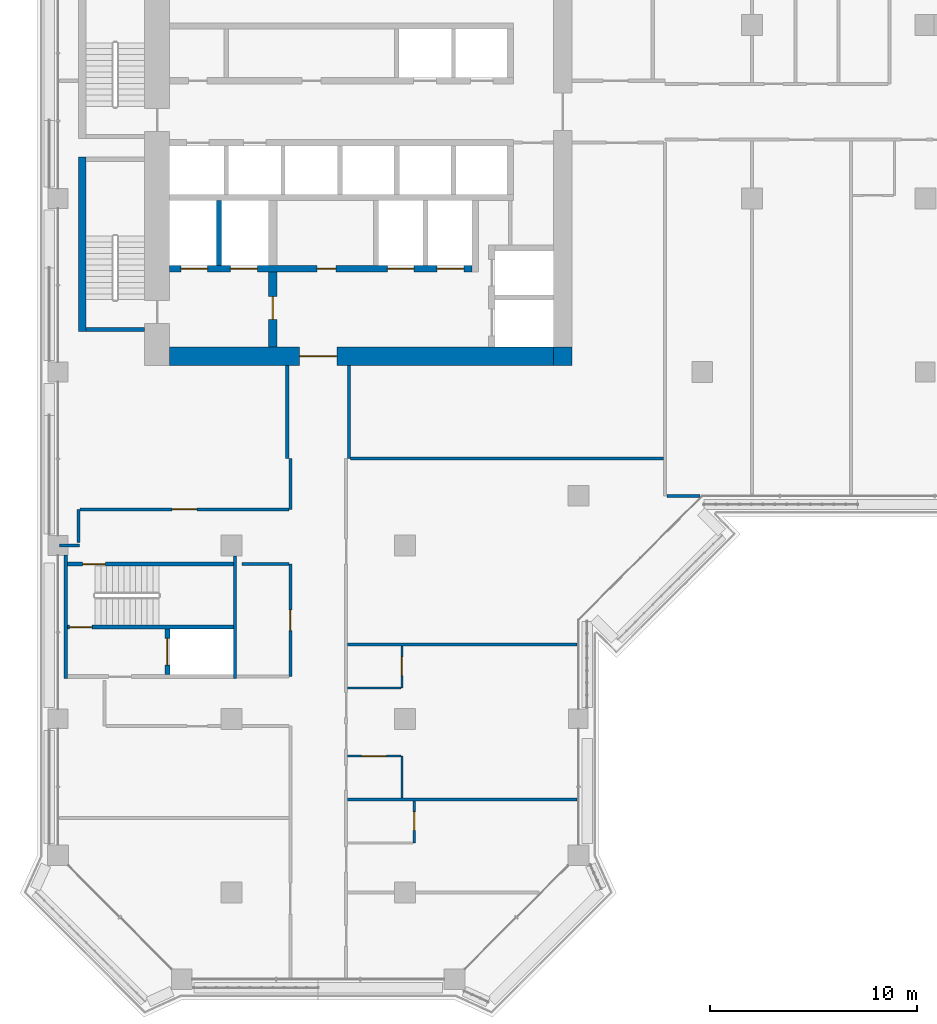
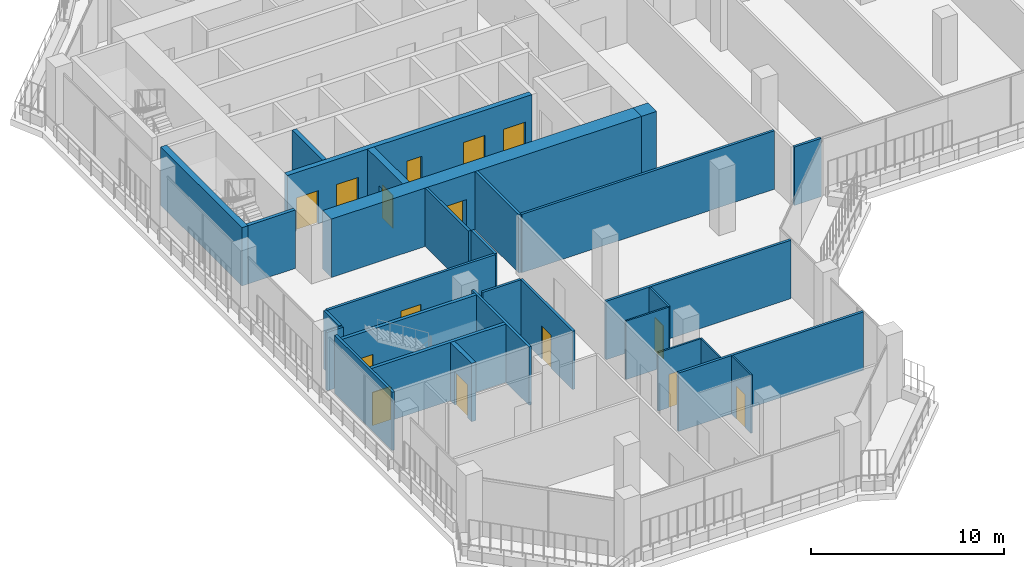
# One storey, part 10 of 22: 29 walls, 15 doors, 15 openings.
"""IFC4 building model written with IfcOpenShell, lengths in metres."""

from ifc_helpers import new_model, si_unit, direction, frame, frame_2d, origin, place, context, subcontext, project, spatial, rectangle, extrude, material, layer, layer_set, type_object, element, fill, save


model = new_model("IFC4")

# Units and contexts
model_context = context("Model", 3, precision=1e-05, world=origin(), true_north=direction((0.0, 1.0)))
body_context = subcontext(model_context, "Body", "Model", "MODEL_VIEW")
ifc_project = project(units=[si_unit("LENGTHUNIT", "METRE"), si_unit("AREAUNIT", "SQUARE_METRE"), si_unit("VOLUMEUNIT", "CUBIC_METRE"), si_unit("PLANEANGLEUNIT", "RADIAN"), si_unit("MASSUNIT", "GRAM", prefix="KILO")], contexts=[model_context])

# Site, building, storey
site_placement = place(None, origin())
site = spatial("IfcSite", under=ifc_project, at=site_placement, CompositionType="ELEMENT")
building_placement = place(site_placement, origin())
building = spatial("IfcBuilding", under=site, at=building_placement, Name="Kawkab Arch Medical Tower", CompositionType="ELEMENT")
storey_placement = place(building_placement, frame((0.0, 0.0, 208.800048828125)))
storey = spatial("IfcBuildingStorey", under=building, at=storey_placement, Name="L48", CompositionType="ELEMENT", Elevation=208.800048828125)

# Wall, opening, door
ifc_material_1 = material(Name="Concrete C55/67", Category="concrete")
ifc_layer_1 = layer(ifc_material_1, 0.89990234375)
ifc_layer_set_1 = layer_set([ifc_layer_1], Name="Concrete C55/67")
wall_type_1 = type_object("IfcWallType", Name="Core ring wall 900 C55/67", PredefinedType="SHEAR", material=ifc_layer_set_1)
wall_1_placement = place(storey_placement, frame((5.39990234375, -24.449951171875, 0.0), z_axis=(0.0, 0.0, 1.0), x_axis=(1.0, 0.0, 0.0)))
wall_1 = element("IfcWall", 1, at=wall_1_placement, inside=storey, type_object=wall_type_1, Name="L48 core wall", PredefinedType="SHEAR", context=body_context, shape_type="SweptSolid", body=[
    extrude(rectangle(XDim=18.60009765625, YDim=0.89990234375, at=frame_2d((9.300048828125, 0.0))), origin(), (0.0, 0.0, 1.0), 3.699951171875),
])
opening_1_placement = place(wall_1_placement, frame((6.300048828125, 0.0, 0.0)))
opening_1 = element("IfcOpeningElement", 2, at=opening_1_placement, cuts=wall_1, Name="Opening PD", PredefinedType="OPENING", context=body_context, shape_type="SweptSolid", body=[
    extrude(rectangle(XDim=1.800048828125, YDim=2.10009765625, at=frame_2d((0.89990234375, 1.050048828125))), frame((0.0, 0.4599609375, 0.0), z_axis=(0.0, -1.0, 0.0), x_axis=(1.0, 0.0, 0.0)), (0.0, 0.0, 1.0), 0.919921875),
])
ifc_material_2 = material(Name="Hollow metal fire door leaf")
door_type_1 = type_object("IfcDoorType", Name="Core entrance doors 1800", OperationType="DOUBLE_DOOR_SINGLE_SWING", PredefinedType="DOOR", material=ifc_material_2)
door_1_placement = place(opening_1_placement, origin())
door_1 = element("IfcDoor", 3, at=door_1_placement, inside=storey, type_object=door_type_1, Name="L48 South entrance doors", OperationType="DOUBLE_DOOR_SINGLE_SWING", OverallHeight=2.10009765625, OverallWidth=1.800048828125, PredefinedType="DOOR", context=body_context, shape_type="SweptSolid", body=[
    extrude(rectangle(XDim=1.800048828125, YDim=2.10009765625, at=frame_2d((0.89990234375, 1.050048828125))), frame((0.0, 0.02490234375, 0.0), z_axis=(0.0, -1.0, 0.0), x_axis=(1.0, 0.0, 0.0)), (0.0, 0.0, 1.0), 0.050048828125),
])
fill(opening_1, door_1)

# Walls
wall_2_placement = place(storey_placement, frame((24.449951171875, -24.89990234375, 0.0), z_axis=(0.0, 0.0, 1.0), x_axis=(0.0, 1.0, 0.0)))
element("IfcWall", 4, at=wall_2_placement, inside=storey, type_object=wall_type_1, Name="L48 core wall", PredefinedType="SHEAR", context=body_context, shape_type="SweptSolid", body=[
    extrude(rectangle(XDim=0.89990234375, YDim=0.89990234375, at=frame_2d((0.449951171875, 0.0))), origin(), (0.0, 0.0, 1.0), 3.699951171875),
])
ifc_material_3 = material(Name="Concrete C60/75", Category="concrete")
ifc_layer_2 = layer(ifc_material_3, 0.25)
ifc_layer_set_2 = layer_set([ifc_layer_2], Name="Concrete C60/75")
wall_type_2 = type_object("IfcWallType", Name="Core shear wall 250 C60/75", PredefinedType="SHEAR", material=ifc_layer_set_2)
wall_3_placement = place(storey_placement, frame((7.800048828125, -20.050048828125, 0.0), z_axis=(0.0, 0.0, 1.0), x_axis=(0.0, 1.0, 0.0)))
element("IfcWall", 5, at=wall_3_placement, inside=storey, type_object=wall_type_2, Name="L48 core shear wall", PredefinedType="SHEAR", context=body_context, shape_type="SweptSolid", body=[
    extrude(rectangle(XDim=3.150146484375, YDim=0.25, at=frame_2d((1.5751953125, 0.0))), origin(), (0.0, 0.0, 1.0), 3.699951171875),
])

# Wall, opening, door
wall_4_placement = place(storey_placement, frame((5.300048828125, -39.85009765625, 0.0), z_axis=(0.0, 0.0, 1.0), x_axis=(0.0, 1.0, 0.0)))
wall_4 = element("IfcWall", 6, at=wall_4_placement, inside=storey, type_object=wall_type_2, Name="L48 core shear wall", PredefinedType="SHEAR", context=body_context, shape_type="SweptSolid", body=[
    extrude(rectangle(XDim=2.2001953125, YDim=0.25, at=frame_2d((1.10009765625, 0.0))), origin(), (0.0, 0.0, 1.0), 3.699951171875),
])
opening_2_placement = place(wall_4_placement, frame((0.449951171875, 0.0, 0.0)))
opening_2 = element("IfcOpeningElement", 7, at=opening_2_placement, cuts=wall_4, Name="Opening LD2", PredefinedType="OPENING", context=body_context, shape_type="SweptSolid", body=[
    extrude(rectangle(XDim=1.300048828125, YDim=2.10009765625, at=frame_2d((0.64990234375, 1.050048828125))), frame((0.0, 0.135009765625, 0.0), z_axis=(0.0, -1.0, 0.0), x_axis=(1.0, 0.0, 0.0)), (0.0, 0.0, 1.0), 0.27001953125),
])
ifc_material_4 = material(Name="Stainless steel lift door leaf", Category="steel")
door_type_2 = type_object("IfcDoorType", Name="Lift landing door 1300", OperationType="DOUBLE_DOOR_SLIDING", PredefinedType="DOOR", material=ifc_material_4)
door_2_placement = place(opening_2_placement, origin())
door_2 = element("IfcDoor", 8, at=door_2_placement, inside=storey, type_object=door_type_2, Name="L48 Lift landing door SV2", OperationType="DOUBLE_DOOR_SLIDING", OverallHeight=2.10009765625, OverallWidth=1.300048828125, PredefinedType="DOOR", context=body_context, shape_type="SweptSolid", body=[
    extrude(rectangle(XDim=1.300048828125, YDim=2.10009765625, at=frame_2d((0.64990234375, 1.050048828125))), frame((0.0, 0.02490234375, 0.0), z_axis=(0.0, -1.0, 0.0), x_axis=(1.0, 0.0, 0.0)), (0.0, 0.0, 1.0), 0.050048828125),
])
fill(opening_2, door_2)

# Wall, openings, doors
ifc_material_5 = material(Name="Concrete C60/75", Category="concrete")
ifc_layer_3 = layer(ifc_material_5, 0.300048828125)
ifc_layer_set_3 = layer_set([ifc_layer_3], Name="Concrete C60/75")
wall_type_3 = type_object("IfcWallType", Name="Core shear wall 300 C60/75", PredefinedType="SHEAR", material=ifc_layer_set_3)
wall_5_placement = place(storey_placement, frame((5.39990234375, -20.199951171875, 0.0), z_axis=(0.0, 0.0, 1.0), x_axis=(1.0, 0.0, 0.0)))
wall_5 = element("IfcWall", 9, at=wall_5_placement, inside=storey, type_object=wall_type_3, Name="L48 core shear wall", PredefinedType="SHEAR", context=body_context, shape_type="SweptSolid", body=[
    extrude(rectangle(XDim=14.650146484375, YDim=0.300048828125, at=frame_2d((7.3251953125, 0.0))), origin(), (0.0, 0.0, 1.0), 3.699951171875),
])
opening_3_placement = place(wall_5_placement, frame((10.550048828125, 0.0, 0.0)))
opening_3 = element("IfcOpeningElement", 10, at=opening_3_placement, cuts=wall_5, Name="Opening LD2", PredefinedType="OPENING", context=body_context, shape_type="SweptSolid", body=[
    extrude(rectangle(XDim=1.300048828125, YDim=2.10009765625, at=frame_2d((0.64990234375, 1.050048828125))), frame((0.0, 0.159912109375, 0.0), z_axis=(0.0, -1.0, 0.0), x_axis=(1.0, 0.0, 0.0)), (0.0, 0.0, 1.0), 0.320068359375),
])
opening_4_placement = place(wall_5_placement, frame((12.949951171875, 0.0, 0.0)))
opening_4 = element("IfcOpeningElement", 11, at=opening_4_placement, cuts=wall_5, Name="Opening LD2", PredefinedType="OPENING", context=body_context, shape_type="SweptSolid", body=[
    extrude(rectangle(XDim=1.300048828125, YDim=2.10009765625, at=frame_2d((0.64990234375, 1.050048828125))), frame((0.0, 0.159912109375, 0.0), z_axis=(0.0, -1.0, 0.0), x_axis=(1.0, 0.0, 0.0)), (0.0, 0.0, 1.0), 0.320068359375),
])
opening_5_placement = place(wall_5_placement, frame((0.550048828125, 0.0, 0.0)))
opening_5 = element("IfcOpeningElement", 12, at=opening_5_placement, cuts=wall_5, Name="Opening LD2", PredefinedType="OPENING", context=body_context, shape_type="SweptSolid", body=[
    extrude(rectangle(XDim=1.300048828125, YDim=2.10009765625, at=frame_2d((0.64990234375, 1.050048828125))), frame((0.0, 0.159912109375, 0.0), z_axis=(0.0, -1.0, 0.0), x_axis=(1.0, 0.0, 0.0)), (0.0, 0.0, 1.0), 0.320068359375),
])
opening_6_placement = place(wall_5_placement, frame((2.949951171875, 0.0, 0.0)))
opening_6 = element("IfcOpeningElement", 13, at=opening_6_placement, cuts=wall_5, Name="Opening LD2", PredefinedType="OPENING", context=body_context, shape_type="SweptSolid", body=[
    extrude(rectangle(XDim=1.300048828125, YDim=2.10009765625, at=frame_2d((0.64990234375, 1.050048828125))), frame((0.0, 0.159912109375, 0.0), z_axis=(0.0, -1.0, 0.0), x_axis=(1.0, 0.0, 0.0)), (0.0, 0.0, 1.0), 0.320068359375),
])
opening_7_placement = place(wall_5_placement, frame((7.14990234375, 0.0, 0.0)))
opening_7 = element("IfcOpeningElement", 14, at=opening_7_placement, cuts=wall_5, Name="Opening RD", PredefinedType="OPENING", context=body_context, shape_type="SweptSolid", body=[
    extrude(rectangle(XDim=0.89990234375, YDim=2.10009765625, at=frame_2d((0.449951171875, 1.050048828125))), frame((0.0, 0.159912109375, 0.0), z_axis=(0.0, -1.0, 0.0), x_axis=(1.0, 0.0, 0.0)), (0.0, 0.0, 1.0), 0.320068359375),
])
ifc_material_6 = material(Name="Hollow metal fire door leaf")
door_type_3 = type_object("IfcDoorType", Name="Core room door 900", OperationType="SINGLE_SWING_LEFT", PredefinedType="DOOR", material=ifc_material_6)
door_3_placement = place(opening_7_placement, origin())
door_3 = element("IfcDoor", 15, at=door_3_placement, inside=storey, type_object=door_type_3, Name="L48 General store door", OperationType="SINGLE_SWING_LEFT", OverallHeight=2.10009765625, OverallWidth=0.89990234375, PredefinedType="DOOR", context=body_context, shape_type="SweptSolid", body=[
    extrude(rectangle(XDim=0.89990234375, YDim=2.10009765625, at=frame_2d((0.449951171875, 1.050048828125))), frame((0.0, 0.02490234375, 0.0), z_axis=(0.0, -1.0, 0.0), x_axis=(1.0, 0.0, 0.0)), (0.0, 0.0, 1.0), 0.050048828125),
])
fill(opening_7, door_3)
door_4_placement = place(opening_3_placement, origin())
door_4 = element("IfcDoor", 16, at=door_4_placement, inside=storey, type_object=door_type_2, Name="L48 Lift landing door BD3", OperationType="DOUBLE_DOOR_SLIDING", OverallHeight=2.10009765625, OverallWidth=1.300048828125, PredefinedType="DOOR", context=body_context, shape_type="SweptSolid", body=[
    extrude(rectangle(XDim=1.300048828125, YDim=2.10009765625, at=frame_2d((0.64990234375, 1.050048828125))), frame((0.0, 0.02490234375, 0.0), z_axis=(0.0, -1.0, 0.0), x_axis=(1.0, 0.0, 0.0)), (0.0, 0.0, 1.0), 0.050048828125),
])
fill(opening_3, door_4)
door_5_placement = place(opening_4_placement, origin())
door_5 = element("IfcDoor", 17, at=door_5_placement, inside=storey, type_object=door_type_2, Name="L48 Lift landing door BD4", OperationType="DOUBLE_DOOR_SLIDING", OverallHeight=2.10009765625, OverallWidth=1.300048828125, PredefinedType="DOOR", context=body_context, shape_type="SweptSolid", body=[
    extrude(rectangle(XDim=1.300048828125, YDim=2.10009765625, at=frame_2d((0.64990234375, 1.050048828125))), frame((0.0, 0.02490234375, 0.0), z_axis=(0.0, -1.0, 0.0), x_axis=(1.0, 0.0, 0.0)), (0.0, 0.0, 1.0), 0.050048828125),
])
fill(opening_4, door_5)
door_6_placement = place(opening_5_placement, origin())
door_6 = element("IfcDoor", 18, at=door_6_placement, inside=storey, type_object=door_type_2, Name="L48 Lift landing door FL1", OperationType="DOUBLE_DOOR_SLIDING", OverallHeight=2.10009765625, OverallWidth=1.300048828125, PredefinedType="DOOR", context=body_context, shape_type="SweptSolid", body=[
    extrude(rectangle(XDim=1.300048828125, YDim=2.10009765625, at=frame_2d((0.64990234375, 1.050048828125))), frame((0.0, 0.02490234375, 0.0), z_axis=(0.0, -1.0, 0.0), x_axis=(1.0, 0.0, 0.0)), (0.0, 0.0, 1.0), 0.050048828125),
])
fill(opening_5, door_6)
door_7_placement = place(opening_6_placement, origin())
door_7 = element("IfcDoor", 19, at=door_7_placement, inside=storey, type_object=door_type_2, Name="L48 Lift landing door FL2", OperationType="DOUBLE_DOOR_SLIDING", OverallHeight=2.10009765625, OverallWidth=1.300048828125, PredefinedType="DOOR", context=body_context, shape_type="SweptSolid", body=[
    extrude(rectangle(XDim=1.300048828125, YDim=2.10009765625, at=frame_2d((0.64990234375, 1.050048828125))), frame((0.0, 0.02490234375, 0.0), z_axis=(0.0, -1.0, 0.0), x_axis=(1.0, 0.0, 0.0)), (0.0, 0.0, 1.0), 0.050048828125),
])
fill(opening_6, door_7)

# Wall, opening, door
ifc_material_7 = material(Name="Concrete C60/75", Category="concrete")
ifc_layer_4 = layer(ifc_material_7, 0.39990234375)
ifc_layer_set_4 = layer_set([ifc_layer_4], Name="Concrete C60/75")
wall_type_4 = type_object("IfcWallType", Name="Core shear wall 400 C60/75", PredefinedType="SHEAR", material=ifc_layer_set_4)
wall_6_placement = place(storey_placement, frame((10.39990234375, -24.0, 0.0), z_axis=(0.0, 0.0, 1.0), x_axis=(0.0, 1.0, 0.0)))
wall_6 = element("IfcWall", 20, at=wall_6_placement, inside=storey, type_object=wall_type_4, Name="L48 core shear wall", PredefinedType="SHEAR", context=body_context, shape_type="SweptSolid", body=[
    extrude(rectangle(XDim=3.64990234375, YDim=0.39990234375, at=frame_2d((1.824951171875, 0.0))), origin(), (0.0, 0.0, 1.0), 3.699951171875),
])
opening_8_placement = place(wall_6_placement, frame((1.35009765625, 0.0, 0.0)))
opening_8 = element("IfcOpeningElement", 21, at=opening_8_placement, cuts=wall_6, Name="Opening FD", PredefinedType="OPENING", context=body_context, shape_type="SweptSolid", body=[
    extrude(rectangle(XDim=1.10009765625, YDim=2.10009765625, at=frame_2d((0.550048828125, 1.050048828125))), frame((0.0, 0.2099609375, 0.0), z_axis=(0.0, -1.0, 0.0), x_axis=(1.0, 0.0, 0.0)), (0.0, 0.0, 1.0), 0.419921875),
])
ifc_material_8 = material(Name="Hollow metal fire door leaf")
door_type_4 = type_object("IfcDoorType", Name="Firefighting lobby door 1100", OperationType="SINGLE_SWING_LEFT", PredefinedType="DOOR", material=ifc_material_8)
door_8_placement = place(opening_8_placement, origin())
door_8 = element("IfcDoor", 22, at=door_8_placement, inside=storey, type_object=door_type_4, Name="L48 Firefighting lobby door", OperationType="SINGLE_SWING_LEFT", OverallHeight=2.10009765625, OverallWidth=1.10009765625, PredefinedType="DOOR", context=body_context, shape_type="SweptSolid", body=[
    extrude(rectangle(XDim=1.10009765625, YDim=2.10009765625, at=frame_2d((0.550048828125, 1.050048828125))), frame((0.0, 0.02490234375, 0.0), z_axis=(0.0, -1.0, 0.0), x_axis=(1.0, 0.0, 0.0)), (0.0, 0.0, 1.0), 0.050048828125),
])
fill(opening_8, door_8)

ifc_material_9 = material(Name="Gypsum board partition on steel studs", Category="steel")
ifc_layer_5 = layer(ifc_material_9, 0.10009765625)
ifc_layer_set_5 = layer_set([ifc_layer_5], Name="Gypsum board partition on steel studs")
wall_type_5 = type_object("IfcWallType", Name="Partition 100", PredefinedType="PARTITIONING", material=ifc_layer_set_5)
wall_7_placement = place(storey_placement, frame((14.02490234375, -43.800048828125, 0.0), z_axis=(0.0, 0.0, 1.0), x_axis=(1.0, 0.0, 0.0)))
wall_7 = element("IfcWall", 23, at=wall_7_placement, inside=storey, type_object=wall_type_5, Name="Partition 100 w002", PredefinedType="PARTITIONING", context=body_context, shape_type="SweptSolid", body=[
    extrude(rectangle(XDim=2.5751953125, YDim=0.10009765625, at=frame_2d((1.28759765625, 0.0))), origin(), (0.0, 0.0, 1.0), 3.699951171875),
])
opening_9_placement = place(wall_7_placement, frame((0.675048828125, 0.0, 0.0)))
opening_9 = element("IfcOpeningElement", 24, at=opening_9_placement, cuts=wall_7, Name="Opening W43-045", PredefinedType="OPENING", context=body_context, shape_type="SweptSolid", body=[
    extrude(rectangle(XDim=1.199951171875, YDim=2.10009765625, at=frame_2d((0.60009765625, 1.050048828125))), frame((0.0, 0.06005859375, 0.0), z_axis=(0.0, -1.0, 0.0), x_axis=(1.0, 0.0, 0.0)), (0.0, 0.0, 1.0), 0.1201171875),
])
ifc_material_10 = material(Name="Timber door leaf", Category="wood")
door_type_5 = type_object("IfcDoorType", Name="Single door 1200x2100", OperationType="NOTDEFINED", PredefinedType="DOOR", material=ifc_material_10)
door_9_placement = place(opening_9_placement, origin())
door_9 = element("IfcDoor", 25, at=door_9_placement, inside=storey, type_object=door_type_5, Name="Door W43-045", OperationType="SINGLE_SWING_RIGHT", OverallHeight=2.10009765625, OverallWidth=1.199951171875, PredefinedType="DOOR", context=body_context, shape_type="SweptSolid", body=[
    extrude(rectangle(XDim=1.199951171875, YDim=2.10009765625, at=frame_2d((0.60009765625, 1.050048828125))), frame((0.0, 0.02490234375, 0.0), z_axis=(0.0, -1.0, 0.0), x_axis=(1.0, 0.0, 0.0)), (0.0, 0.0, 1.0), 0.050048828125),
])
fill(opening_9, door_9)

# Walls
wall_8_placement = place(storey_placement, frame((14.02490234375, -40.5, 0.0), z_axis=(0.0, 0.0, 1.0), x_axis=(1.0, 0.0, 0.0)))
element("IfcWall", 26, at=wall_8_placement, inside=storey, type_object=wall_type_5, Name="Partition 100 w003", PredefinedType="PARTITIONING", context=body_context, shape_type="SweptSolid", body=[
    extrude(rectangle(XDim=2.5751953125, YDim=0.10009765625, at=frame_2d((1.28759765625, 0.0))), origin(), (0.0, 0.0, 1.0), 3.699951171875),
])
wall_9_placement = place(storey_placement, frame((16.64990234375, -45.824951171875, 0.0), z_axis=(0.0, 0.0, 1.0), x_axis=(0.0, 1.0, 0.0)))
element("IfcWall", 27, at=wall_9_placement, inside=storey, type_object=wall_type_5, Name="Partition 100 w010", PredefinedType="PARTITIONING", context=body_context, shape_type="SweptSolid", body=[
    extrude(rectangle(XDim=2.02490234375, YDim=0.10009765625, at=frame_2d((1.012451171875, 0.0))), origin(), (0.0, 0.0, 1.0), 3.699951171875),
])

# Wall, opening, door
wall_10_placement = place(storey_placement, frame((16.64990234375, -40.5, 0.0), z_axis=(0.0, 0.0, 1.0), x_axis=(0.0, 1.0, 0.0)))
wall_10 = element("IfcWall", 28, at=wall_10_placement, inside=storey, type_object=wall_type_5, Name="Partition 100 w011", PredefinedType="PARTITIONING", context=body_context, shape_type="SweptSolid", body=[
    extrude(rectangle(XDim=2.02490234375, YDim=0.10009765625, at=frame_2d((1.012451171875, 0.0))), origin(), (0.0, 0.0, 1.0), 3.699951171875),
])
opening_10_placement = place(wall_10_placement, frame((0.60009765625, 0.0, 0.0)))
opening_10 = element("IfcOpeningElement", 29, at=opening_10_placement, cuts=wall_10, Name="Opening W43-007", PredefinedType="OPENING", context=body_context, shape_type="SweptSolid", body=[
    extrude(rectangle(XDim=0.89990234375, YDim=2.10009765625, at=frame_2d((0.449951171875, 1.050048828125))), frame((0.0, 0.06005859375, 0.0), z_axis=(0.0, -1.0, 0.0), x_axis=(1.0, 0.0, 0.0)), (0.0, 0.0, 1.0), 0.1201171875),
])
ifc_material_11 = material(Name="Timber door leaf", Category="wood")
door_type_6 = type_object("IfcDoorType", Name="Single door 900x2100", OperationType="NOTDEFINED", PredefinedType="DOOR", material=ifc_material_11)
door_10_placement = place(opening_10_placement, origin())
door_10 = element("IfcDoor", 30, at=door_10_placement, inside=storey, type_object=door_type_6, Name="Door W43-007", OperationType="SINGLE_SWING_RIGHT", OverallHeight=2.10009765625, OverallWidth=0.89990234375, PredefinedType="DOOR", context=body_context, shape_type="SweptSolid", body=[
    extrude(rectangle(XDim=0.89990234375, YDim=2.10009765625, at=frame_2d((0.449951171875, 1.050048828125))), frame((0.0, 0.02490234375, 0.0), z_axis=(0.0, -1.0, 0.0), x_axis=(1.0, 0.0, 0.0)), (0.0, 0.0, 1.0), 0.050048828125),
])
fill(opening_10, door_10)

wall_11_placement = place(storey_placement, frame((17.25, -48.0, 0.0), z_axis=(0.0, 0.0, 1.0), x_axis=(0.0, 1.0, 0.0)))
wall_11 = element("IfcWall", 31, at=wall_11_placement, inside=storey, type_object=wall_type_5, Name="Partition 100 w012", PredefinedType="PARTITIONING", context=body_context, shape_type="SweptSolid", body=[
    extrude(rectangle(XDim=2.02490234375, YDim=0.10009765625, at=frame_2d((1.012451171875, 0.0))), origin(), (0.0, 0.0, 1.0), 3.699951171875),
])
opening_11_placement = place(wall_11_placement, frame((0.60009765625, 0.0, 0.0)))
opening_11 = element("IfcOpeningElement", 32, at=opening_11_placement, cuts=wall_11, Name="Opening W43-008", PredefinedType="OPENING", context=body_context, shape_type="SweptSolid", body=[
    extrude(rectangle(XDim=0.89990234375, YDim=2.10009765625, at=frame_2d((0.449951171875, 1.050048828125))), frame((0.0, 0.06005859375, 0.0), z_axis=(0.0, -1.0, 0.0), x_axis=(1.0, 0.0, 0.0)), (0.0, 0.0, 1.0), 0.1201171875),
])
door_11_placement = place(opening_11_placement, origin())
door_11 = element("IfcDoor", 33, at=door_11_placement, inside=storey, type_object=door_type_6, Name="Door W43-008", OperationType="SINGLE_SWING_RIGHT", OverallHeight=2.10009765625, OverallWidth=0.89990234375, PredefinedType="DOOR", context=body_context, shape_type="SweptSolid", body=[
    extrude(rectangle(XDim=0.89990234375, YDim=2.10009765625, at=frame_2d((0.449951171875, 1.050048828125))), frame((0.0, 0.02490234375, 0.0), z_axis=(0.0, -1.0, 0.0), x_axis=(1.0, 0.0, 0.0)), (0.0, 0.0, 1.0), 0.050048828125),
])
fill(opening_11, door_11)

# Walls
ifc_material_12 = material(Name="Gypsum board partition on steel studs, mineral wool", Category="steel")
ifc_layer_6 = layer(ifc_material_12, 0.14990234375)
ifc_layer_set_6 = layer_set([ifc_layer_6], Name="Gypsum board partition on steel studs, mineral wool")
wall_type_6 = type_object("IfcWallType", Name="Partition 150", PredefinedType="PARTITIONING", material=ifc_layer_set_6)
for number, where, z_axis, x_axis, name in (
    (34, (14.02490234375, -45.89990234375, 0.0), (0.0, 0.0, 1.0), (1.0, 0.0, 0.0), "Partition 150 w023"),
    (35, (14.02490234375, -38.39990234375, 0.0), (0.0, 0.0, 1.0), (1.0, 0.0, 0.0), "Partition 150 w026"),
):
    element("IfcWall", number, at=place(storey_placement, frame(where, z_axis=z_axis, x_axis=x_axis)), inside=storey, type_object=wall_type_6, Name=name, PredefinedType="PARTITIONING", context=body_context, shape_type="SweptSolid", body=[
        extrude(rectangle(XDim=11.09521484375, YDim=0.14990234375, at=frame_2d((5.547607421875, 0.0))), origin(), (0.0, 0.0, 1.0), 3.699951171875),
    ])
wall_12_placement = place(storey_placement, frame((8.89990234375, -34.5, 0.0), z_axis=(0.0, 0.0, 1.0), x_axis=(1.0, 0.0, 0.0)))
element("IfcWall", 36, at=wall_12_placement, inside=storey, type_object=wall_type_6, Name="Partition 150 w027", PredefinedType="PARTITIONING", context=body_context, shape_type="SweptSolid", body=[
    extrude(rectangle(XDim=2.275146484375, YDim=0.14990234375, at=frame_2d((1.1376953125, 0.0))), origin(), (0.0, 0.0, 1.0), 3.699951171875),
])
wall_13_placement = place(storey_placement, frame((0.080078125, -33.60009765625, 0.0), z_axis=(0.0, 0.0, 1.0), x_axis=(1.0, 0.0, 0.0)))
element("IfcWall", 37, at=wall_13_placement, inside=storey, type_object=wall_type_6, Name="Partition 150 w028", PredefinedType="PARTITIONING", context=body_context, shape_type="SweptSolid", body=[
    extrude(rectangle(XDim=0.969970703125, YDim=0.14990234375, at=frame_2d((0.48486328125, 0.0))), origin(), (0.0, 0.0, 1.0), 3.699951171875),
])

# Wall, opening, door
wall_14_placement = place(storey_placement, frame((1.076904296875, -31.85693359375, 0.0), z_axis=(0.0, 0.0, 1.0), x_axis=(1.0, 0.0, 0.0)))
wall_14 = element("IfcWall", 38, at=wall_14_placement, inside=storey, type_object=wall_type_6, Name="Partition 150 w029", PredefinedType="PARTITIONING", context=body_context, shape_type="SweptSolid", body=[
    extrude(rectangle(XDim=10.09814453125, YDim=0.14990234375, at=frame_2d((5.049072265625, 0.0))), origin(), (0.0, 0.0, 1.0), 3.699951171875),
])
opening_12_placement = place(wall_14_placement, frame((4.448974609375, 0.0, 0.0)))
opening_12 = element("IfcOpeningElement", 39, at=opening_12_placement, cuts=wall_14, Name="Opening W43-040", PredefinedType="OPENING", context=body_context, shape_type="SweptSolid", body=[
    extrude(rectangle(XDim=1.199951171875, YDim=2.10009765625, at=frame_2d((0.60009765625, 1.050048828125))), frame((0.0, 0.0849609375, 0.0), z_axis=(0.0, -1.0, 0.0), x_axis=(1.0, 0.0, 0.0)), (0.0, 0.0, 1.0), 0.169921875),
])
ifc_material_13 = material(Name="Hollow metal door leaf")
door_type_7 = type_object("IfcDoorType", Name="Single door 1200x2100 FD30S", OperationType="NOTDEFINED", PredefinedType="DOOR", material=ifc_material_13)
door_12_placement = place(opening_12_placement, origin())
door_12 = element("IfcDoor", 40, at=door_12_placement, inside=storey, type_object=door_type_7, Name="Door W43-040", OperationType="SINGLE_SWING_RIGHT", OverallHeight=2.10009765625, OverallWidth=1.199951171875, PredefinedType="DOOR", context=body_context, shape_type="SweptSolid", body=[
    extrude(rectangle(XDim=1.199951171875, YDim=2.10009765625, at=frame_2d((0.60009765625, 1.050048828125))), frame((0.0, 0.02490234375, 0.0), z_axis=(0.0, -1.0, 0.0), x_axis=(1.0, 0.0, 0.0)), (0.0, 0.0, 1.0), 0.050048828125),
])
fill(opening_12, door_12)

# Walls
wall_15_placement = place(storey_placement, frame((29.47705078125, -31.199951171875, 0.0), z_axis=(0.0, 0.0, 1.0), x_axis=(1.0, 0.0, 0.0)))
element("IfcWall", 41, at=wall_15_placement, inside=storey, type_object=wall_type_6, Name="Partition 150 w030", PredefinedType="PARTITIONING", context=body_context, shape_type="SweptSolid", body=[
    extrude(rectangle(XDim=1.60986328125, YDim=0.14990234375, at=frame_2d((0.804931640625, 0.0))), origin(), (0.0, 0.0, 1.0), 3.699951171875),
])
wall_16_placement = place(storey_placement, frame((14.175048828125, -29.39990234375, 0.0), z_axis=(0.0, 0.0, 1.0), x_axis=(1.0, 0.0, 0.0)))
element("IfcWall", 42, at=wall_16_placement, inside=storey, type_object=wall_type_6, Name="Partition 150 w031", PredefinedType="PARTITIONING", context=body_context, shape_type="SweptSolid", body=[
    extrude(rectangle(XDim=15.14990234375, YDim=0.14990234375, at=frame_2d((7.574951171875, 0.0))), origin(), (0.0, 0.0, 1.0), 3.699951171875),
])
wall_17_placement = place(storey_placement, frame((1.0, -33.465087890625, 0.0), z_axis=(0.0, 0.0, 1.0), x_axis=(0.0, 1.0, 0.0)))
element("IfcWall", 43, at=wall_17_placement, inside=storey, type_object=wall_type_6, Name="Partition 150 w043", PredefinedType="PARTITIONING", context=body_context, shape_type="SweptSolid", body=[
    extrude(rectangle(XDim=1.60498046875, YDim=0.14990234375, at=frame_2d((0.802490234375, 0.0))), origin(), (0.0, 0.0, 1.0), 3.699951171875),
])
wall_18_placement = place(storey_placement, frame((11.10009765625, -29.39697265625, 0.0), z_axis=(0.0, 0.0, 1.0), x_axis=(0.0, 1.0, 0.0)))
element("IfcWall", 44, at=wall_18_placement, inside=storey, type_object=wall_type_6, Name="Partition 150 w045", PredefinedType="PARTITIONING", context=body_context, shape_type="SweptSolid", body=[
    extrude(rectangle(XDim=4.4970703125, YDim=0.14990234375, at=frame_2d((2.24853515625, 0.0))), origin(), (0.0, 0.0, 1.0), 3.699951171875),
])

# Wall, opening, door
wall_19_placement = place(storey_placement, frame((11.25, -39.949951171875, 0.0), z_axis=(0.0, 0.0, 1.0), x_axis=(0.0, 1.0, 0.0)))
wall_19 = element("IfcWall", 45, at=wall_19_placement, inside=storey, type_object=wall_type_6, Name="Partition 150 w047", PredefinedType="PARTITIONING", context=body_context, shape_type="SweptSolid", body=[
    extrude(rectangle(XDim=5.449951171875, YDim=0.14990234375, at=frame_2d((2.72509765625, 0.0))), origin(), (0.0, 0.0, 1.0), 3.699951171875),
])
opening_13_placement = place(wall_19_placement, frame((2.22509765625, 0.0, 0.0)))
opening_13 = element("IfcOpeningElement", 46, at=opening_13_placement, cuts=wall_19, Name="Opening W43-018", PredefinedType="OPENING", context=body_context, shape_type="SweptSolid", body=[
    extrude(rectangle(XDim=1.0, YDim=2.10009765625, at=frame_2d((0.5, 1.050048828125))), frame((0.0, 0.0849609375, 0.0), z_axis=(0.0, -1.0, 0.0), x_axis=(1.0, 0.0, 0.0)), (0.0, 0.0, 1.0), 0.169921875),
])
ifc_material_14 = material(Name="Hollow metal door leaf")
door_type_8 = type_object("IfcDoorType", Name="Single door 1000x2100 FD30S", OperationType="NOTDEFINED", PredefinedType="DOOR", material=ifc_material_14)
door_13_placement = place(opening_13_placement, origin())
door_13 = element("IfcDoor", 47, at=door_13_placement, inside=storey, type_object=door_type_8, Name="Door W43-018", OperationType="SINGLE_SWING_LEFT", OverallHeight=2.10009765625, OverallWidth=1.0, PredefinedType="DOOR", context=body_context, shape_type="SweptSolid", body=[
    extrude(rectangle(XDim=1.0, YDim=2.10009765625, at=frame_2d((0.5, 1.050048828125))), frame((0.0, 0.02490234375, 0.0), z_axis=(0.0, -1.0, 0.0), x_axis=(1.0, 0.0, 0.0)), (0.0, 0.0, 1.0), 0.050048828125),
])
fill(opening_13, door_13)

# Walls
wall_20_placement = place(storey_placement, frame((11.25, -31.85693359375, 0.0), z_axis=(0.0, 0.0, 1.0), x_axis=(0.0, 1.0, 0.0)))
element("IfcWall", 48, at=wall_20_placement, inside=storey, type_object=wall_type_6, Name="Partition 150 w048", PredefinedType="PARTITIONING", context=body_context, shape_type="SweptSolid", body=[
    extrude(rectangle(XDim=2.45703125, YDim=0.14990234375, at=frame_2d((1.228515625, 0.0))), origin(), (0.0, 0.0, 1.0), 3.699951171875),
])
wall_21_placement = place(storey_placement, frame((14.10009765625, -29.39990234375, 0.0), z_axis=(0.0, 0.0, 1.0), x_axis=(0.0, 1.0, 0.0)))
element("IfcWall", 49, at=wall_21_placement, inside=storey, type_object=wall_type_6, Name="Partition 150 w050", PredefinedType="PARTITIONING", context=body_context, shape_type="SweptSolid", body=[
    extrude(rectangle(XDim=4.5, YDim=0.14990234375, at=frame_2d((2.25, 0.0))), origin(), (0.0, 0.0, 1.0), 3.699951171875),
])
ifc_material_15 = material(Name="Concrete C50/60", Category="concrete")
ifc_layer_7 = layer(ifc_material_15, 0.14990234375)
ifc_layer_set_7 = layer_set([ifc_layer_7], Name="Concrete C50/60")
wall_type_7 = type_object("IfcWallType", Name="Stair enclosure wall 150 C50/60", PredefinedType="SHEAR", material=ifc_layer_set_7)
wall_22_placement = place(storey_placement, frame((0.375, -40.050048828125, 0.0), z_axis=(0.0, 0.0, 1.0), x_axis=(0.0, 1.0, 0.0)))
element("IfcWall", 50, at=wall_22_placement, inside=storey, type_object=wall_type_7, Name="L48 stair enclosure wall", PredefinedType="SHEAR", context=body_context, shape_type="SweptSolid", body=[
    extrude(rectangle(XDim=5.97509765625, YDim=0.14990234375, at=frame_2d((2.987548828125, 0.0))), origin(), (0.0, 0.0, 1.0), 3.699951171875),
])
wall_23_placement = place(storey_placement, frame((8.574951171875, -40.050048828125, 0.0), z_axis=(0.0, 0.0, 1.0), x_axis=(0.0, 1.0, 0.0)))
element("IfcWall", 51, at=wall_23_placement, inside=storey, type_object=wall_type_7, Name="L48 stair enclosure wall", PredefinedType="SHEAR", context=body_context, shape_type="SweptSolid", body=[
    extrude(rectangle(XDim=5.949951171875, YDim=0.14990234375, at=frame_2d((2.97509765625, 0.0))), origin(), (0.0, 0.0, 1.0), 3.699951171875),
])
ifc_material_16 = material(Name="Concrete C50/60", Category="concrete")
ifc_layer_8 = layer(ifc_material_16, 0.199951171875)
ifc_layer_set_8 = layer_set([ifc_layer_8], Name="Concrete C50/60")
wall_type_8 = type_object("IfcWallType", Name="Stair enclosure wall 200 C50/60", PredefinedType="SHEAR", material=ifc_layer_set_8)
wall_24_placement = place(storey_placement, frame((1.35009765625, -23.14990234375, 0.0), z_axis=(0.0, 0.0, 1.0), x_axis=(1.0, 0.0, 0.0)))
element("IfcWall", 52, at=wall_24_placement, inside=storey, type_object=wall_type_8, Name="L48 stair enclosure wall", PredefinedType="SHEAR", context=body_context, shape_type="SweptSolid", body=[
    extrude(rectangle(XDim=2.849853515625, YDim=0.199951171875, at=frame_2d((1.4248046875, 0.0))), origin(), (0.0, 0.0, 1.0), 3.699951171875),
])

# Wall, opening, door
wall_25_placement = place(storey_placement, frame((0.449951171875, -34.5, 0.0), z_axis=(0.0, 0.0, 1.0), x_axis=(1.0, 0.0, 0.0)))
wall_25 = element("IfcWall", 53, at=wall_25_placement, inside=storey, type_object=wall_type_8, Name="L48 stair enclosure wall", PredefinedType="SHEAR", context=body_context, shape_type="SweptSolid", body=[
    extrude(rectangle(XDim=8.050048828125, YDim=0.199951171875, at=frame_2d((4.02490234375, 0.0))), origin(), (0.0, 0.0, 1.0), 3.699951171875),
])
opening_14_placement = place(wall_25_placement, frame((0.75, 0.0, 0.0)))
opening_14 = element("IfcOpeningElement", 54, at=opening_14_placement, cuts=wall_25, Name="Opening SD", PredefinedType="OPENING", context=body_context, shape_type="SweptSolid", body=[
    extrude(rectangle(XDim=1.10009765625, YDim=2.10009765625, at=frame_2d((0.550048828125, 1.050048828125))), frame((0.0, 0.10986328125, 0.0), z_axis=(0.0, -1.0, 0.0), x_axis=(1.0, 0.0, 0.0)), (0.0, 0.0, 1.0), 0.219970703125),
])
ifc_material_17 = material(Name="Hollow metal fire door leaf")
door_type_9 = type_object("IfcDoorType", Name="Exit stair door 1100", OperationType="SINGLE_SWING_LEFT", PredefinedType="DOOR", material=ifc_material_17)
door_14_placement = place(opening_14_placement, origin())
door_14 = element("IfcDoor", 55, at=door_14_placement, inside=storey, type_object=door_type_9, Name="L48 Exit stair ST6 door", OperationType="SINGLE_SWING_LEFT", OverallHeight=2.10009765625, OverallWidth=1.10009765625, PredefinedType="DOOR", context=body_context, shape_type="SweptSolid", body=[
    extrude(rectangle(XDim=1.10009765625, YDim=2.10009765625, at=frame_2d((0.550048828125, 1.050048828125))), frame((0.0, 0.02490234375, 0.0), z_axis=(0.0, -1.0, 0.0), x_axis=(1.0, 0.0, 0.0)), (0.0, 0.0, 1.0), 0.050048828125),
])
fill(opening_14, door_14)

wall_26_placement = place(storey_placement, frame((0.449951171875, -37.550048828125, 0.0), z_axis=(0.0, 0.0, 1.0), x_axis=(1.0, 0.0, 0.0)))
wall_26 = element("IfcWall", 56, at=wall_26_placement, inside=storey, type_object=wall_type_8, Name="L48 stair enclosure wall", PredefinedType="SHEAR", context=body_context, shape_type="SweptSolid", body=[
    extrude(rectangle(XDim=8.050048828125, YDim=0.199951171875, at=frame_2d((4.02490234375, 0.0))), origin(), (0.0, 0.0, 1.0), 3.699951171875),
])
opening_15_placement = place(wall_26_placement, frame((0.10009765625, 0.0, 0.0)))
opening_15 = element("IfcOpeningElement", 57, at=opening_15_placement, cuts=wall_26, Name="Opening SD", PredefinedType="OPENING", context=body_context, shape_type="SweptSolid", body=[
    extrude(rectangle(XDim=1.10009765625, YDim=2.10009765625, at=frame_2d((0.550048828125, 1.050048828125))), frame((0.0, 0.10986328125, 0.0), z_axis=(0.0, -1.0, 0.0), x_axis=(1.0, 0.0, 0.0)), (0.0, 0.0, 1.0), 0.219970703125),
])
door_15_placement = place(opening_15_placement, frame((1.10009765625, 0.0, 0.0), z_axis=(0.0, 0.0, 1.0), x_axis=(-1.0, 0.0, 0.0)))
door_15 = element("IfcDoor", 58, at=door_15_placement, inside=storey, type_object=door_type_9, Name="L48 Exit stair ST6 lobby door", OperationType="SINGLE_SWING_LEFT", OverallHeight=2.10009765625, OverallWidth=1.10009765625, PredefinedType="DOOR", context=body_context, shape_type="SweptSolid", body=[
    extrude(rectangle(XDim=1.10009765625, YDim=2.10009765625, at=frame_2d((0.550048828125, 1.050048828125))), frame((0.0, 0.02490234375, 0.0), z_axis=(0.0, -1.0, 0.0), x_axis=(1.0, 0.0, 0.0)), (0.0, 0.0, 1.0), 0.050048828125),
])
fill(opening_15, door_15)

# Wall
ifc_material_18 = material(Name="Concrete C50/60", Category="concrete")
ifc_layer_9 = layer(ifc_material_18, 0.35009765625)
ifc_layer_set_9 = layer_set([ifc_layer_9], Name="Concrete C50/60")
wall_type_9 = type_object("IfcWallType", Name="Stair enclosure wall 350 C50/60", PredefinedType="SHEAR", material=ifc_layer_set_9)
wall_27_placement = place(storey_placement, frame((1.175048828125, -23.25, 0.0), z_axis=(0.0, 0.0, 1.0), x_axis=(0.0, 1.0, 0.0)))
element("IfcWall", 59, at=wall_27_placement, inside=storey, type_object=wall_type_9, Name="L48 stair enclosure wall", PredefinedType="SHEAR", context=body_context, shape_type="SweptSolid", body=[
    extrude(rectangle(XDim=8.449951171875, YDim=0.35009765625, at=frame_2d((4.22509765625, 0.0))), origin(), (0.0, 0.0, 1.0), 3.699951171875),
])

save(model, "model.ifc")
